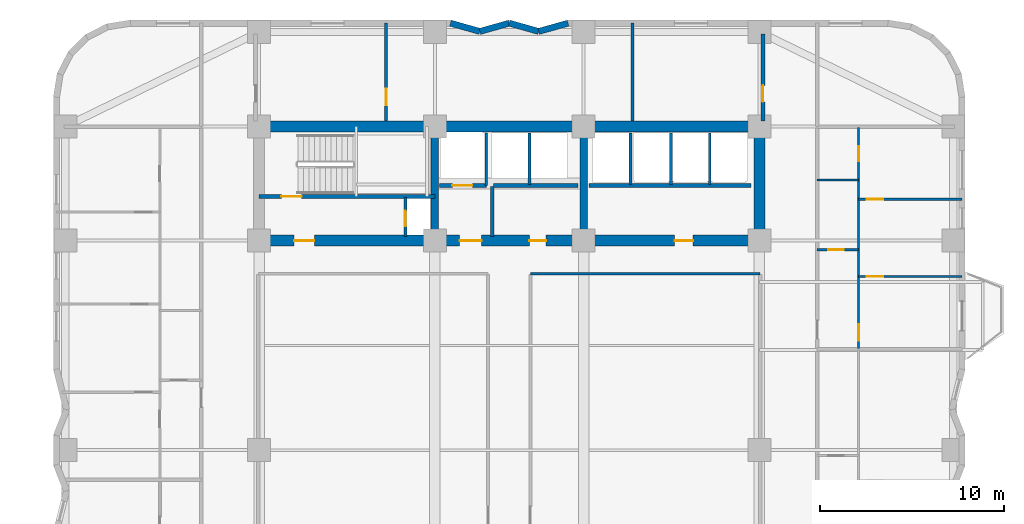
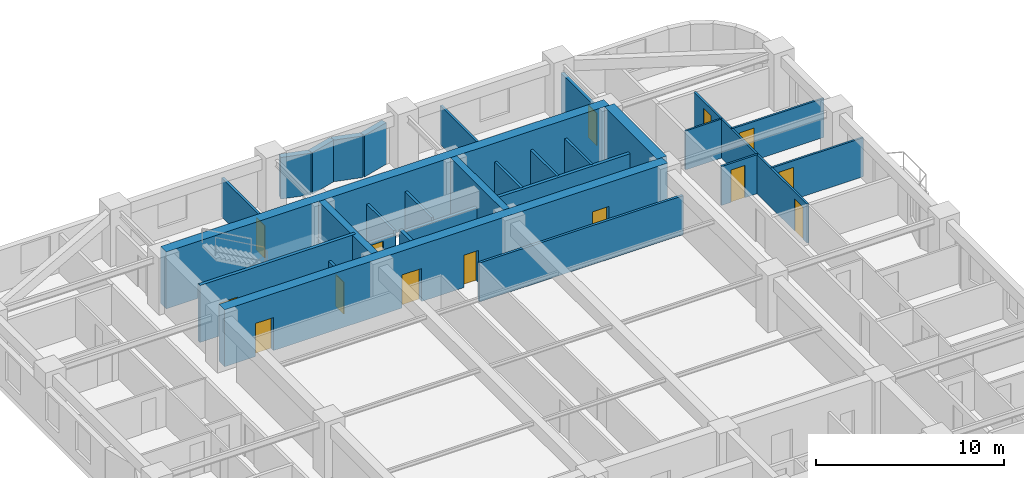
# One storey, part 6 of 9: 29 walls, 14 doors, 14 openings.
"""IFC4 building model written with IfcOpenShell, lengths in metres."""

from ifc_helpers import new_model, si_unit, direction, frame, frame_2d, origin, place, context, subcontext, project, spatial, rectangle, extrude, material, layer, layer_set, type_object, element, fill, save


model = new_model("IFC4")

# Units and contexts
model_context = context("Model", 3, precision=1e-05, world=origin(), true_north=direction((0.0, 1.0)))
body_context = subcontext(model_context, "Body", "Model", "MODEL_VIEW")
ifc_project = project(units=[si_unit("LENGTHUNIT", "METRE"), si_unit("AREAUNIT", "SQUARE_METRE"), si_unit("VOLUMEUNIT", "CUBIC_METRE"), si_unit("PLANEANGLEUNIT", "RADIAN"), si_unit("MASSUNIT", "GRAM", prefix="KILO")], contexts=[model_context])

# Site, building, storey
site_placement = place(None, origin())
site = spatial("IfcSite", under=ifc_project, at=site_placement, CompositionType="ELEMENT")
building_placement = place(site_placement, origin())
building = spatial("IfcBuilding", under=site, at=building_placement, Name="Svetorya Sky Lyceum", CompositionType="ELEMENT")
storey_placement = place(building_placement, frame((0.0, 0.0, 32.5)))
storey = spatial("IfcBuildingStorey", under=building, at=storey_placement, Name="L07", CompositionType="ELEMENT", Elevation=32.5)

# Walls
ifc_material_1 = material(Name="Concrete C40/50", Category="concrete")
ifc_layer_1 = layer(ifc_material_1, 0.39990234375)
ifc_layer_set_1 = layer_set([ifc_layer_1], Name="Concrete C40/50")
wall_type_1 = type_object("IfcWallType", Name="WL-CORE-400", PredefinedType="SHEAR", material=ifc_layer_set_1)
for number, where, z_axis, x_axis, name in (
    (1, (35.14990234375, 39.89990234375, 0.0), (0.0, 0.0, 1.0), (0.0, 1.0, 0.0), "L07 NC Internal Shear Web WEB1"),
    (2, (43.25, 39.89990234375, 0.0), (0.0, 0.0, 1.0), (0.0, 1.0, 0.0), "L07 NC Internal Shear Web WEB2"),
):
    element("IfcWall", number, at=place(storey_placement, frame(where, z_axis=z_axis, x_axis=x_axis)), inside=storey, type_object=wall_type_1, Name=name, PredefinedType="SHEAR", context=body_context, shape_type="SweptSolid", body=[
        extrude(rectangle(XDim=5.60009765625, YDim=0.39990234375, at=frame_2d((2.800048828125, 0.0))), origin(), (0.0, 0.0, 1.0), 3.699951171875),
    ])
ifc_material_2 = material(Name="Concrete C60/75", Category="concrete")
ifc_layer_2 = layer(ifc_material_2, 0.60009765625)
ifc_layer_set_2 = layer_set([ifc_layer_2], Name="Concrete C60/75")
wall_type_2 = type_object("IfcWallType", Name="WL-CORE-600", PredefinedType="SHEAR", material=ifc_layer_set_2)
wall_1_placement = place(storey_placement, frame((25.60009765625, 45.800048828125, 0.0), z_axis=(0.0, 0.0, 1.0), x_axis=(1.0, 0.0, 0.0)))
element("IfcWall", 3, at=wall_1_placement, inside=storey, type_object=wall_type_2, Name="L07 NC Outer Core Shear Wall", PredefinedType="SHEAR", context=body_context, shape_type="SweptSolid", body=[
    extrude(rectangle(XDim=27.199951171875, YDim=0.60009765625, at=frame_2d((13.60009765625, 0.0))), origin(), (0.0, 0.0, 1.0), 3.699951171875),
])
wall_2_placement = place(storey_placement, frame((52.800048828125, 39.89990234375, 0.0), z_axis=(0.0, 0.0, 1.0), x_axis=(0.0, 1.0, 0.0)))
element("IfcWall", 4, at=wall_2_placement, inside=storey, type_object=wall_type_2, Name="L07 NC East Core Shear Wall", PredefinedType="SHEAR", context=body_context, shape_type="SweptSolid", body=[
    extrude(rectangle(XDim=5.60009765625, YDim=0.60009765625, at=frame_2d((2.800048828125, 0.0))), origin(), (0.0, 0.0, 1.0), 3.699951171875),
])

# Wall, openings, doors
wall_3_placement = place(storey_placement, frame((52.800048828125, 39.60009765625, 0.0), z_axis=(0.0, 0.0, 1.0), x_axis=(-1.0, 0.0, 0.0)))
wall_3 = element("IfcWall", 5, at=wall_3_placement, inside=storey, type_object=wall_type_2, Name="L07 NC Inner Core Shear Wall", PredefinedType="SHEAR", context=body_context, shape_type="SweptSolid", body=[
    extrude(rectangle(XDim=27.199951171875, YDim=0.60009765625, at=frame_2d((13.60009765625, 0.0))), origin(), (0.0, 0.0, 1.0), 3.699951171875),
])
opening_1_placement = place(wall_3_placement, frame((24.199951171875, 0.0, 0.0)))
opening_1 = element("IfcOpeningElement", 6, at=opening_1_placement, cuts=wall_3, Name="Opening D-ST1", PredefinedType="OPENING", context=body_context, shape_type="SweptSolid", body=[
    extrude(rectangle(XDim=1.10009765625, YDim=2.14990234375, at=frame_2d((0.550048828125, 1.074951171875))), frame((0.0, 0.31005859375, 0.0), z_axis=(0.0, -1.0, 0.0), x_axis=(1.0, 0.0, 0.0)), (0.0, 0.0, 1.0), 0.6201171875),
])
opening_2_placement = place(wall_3_placement, frame((15.10009765625, 0.0, 0.0)))
opening_2 = element("IfcOpeningElement", 7, at=opening_2_placement, cuts=wall_3, Name="Opening D-FL1", PredefinedType="OPENING", context=body_context, shape_type="SweptSolid", body=[
    extrude(rectangle(XDim=1.199951171875, YDim=2.14990234375, at=frame_2d((0.60009765625, 1.074951171875))), frame((0.0, 0.31005859375, 0.0), z_axis=(0.0, -1.0, 0.0), x_axis=(1.0, 0.0, 0.0)), (0.0, 0.0, 1.0), 0.6201171875),
])
opening_3_placement = place(wall_3_placement, frame((11.60009765625, 0.0, 0.0)))
opening_3 = element("IfcOpeningElement", 8, at=opening_3_placement, cuts=wall_3, Name="Opening D-RM1", PredefinedType="OPENING", context=body_context, shape_type="SweptSolid", body=[
    extrude(rectangle(XDim=0.89990234375, YDim=2.10009765625, at=frame_2d((0.449951171875, 1.050048828125))), frame((0.0, 0.31005859375, 0.0), z_axis=(0.0, -1.0, 0.0), x_axis=(1.0, 0.0, 0.0)), (0.0, 0.0, 1.0), 0.6201171875),
])
opening_4_placement = place(wall_3_placement, frame((3.60009765625, 0.0, 0.0)))
opening_4 = element("IfcOpeningElement", 9, at=opening_4_placement, cuts=wall_3, Name="Opening D-RM2", PredefinedType="OPENING", context=body_context, shape_type="SweptSolid", body=[
    extrude(rectangle(XDim=1.0, YDim=2.14990234375, at=frame_2d((0.5, 1.074951171875))), frame((0.0, 0.31005859375, 0.0), z_axis=(0.0, -1.0, 0.0), x_axis=(1.0, 0.0, 0.0)), (0.0, 0.0, 1.0), 0.6201171875),
])
ifc_material_3 = material(Name="Powder-coated insulated galvanized stair fire door")
door_type_1 = type_object("IfcDoorType", Name="DR-FIRE-1100", OperationType="SINGLE_SWING_LEFT", PredefinedType="DOOR", material=ifc_material_3)
door_1_placement = place(opening_1_placement, origin())
door_1 = element("IfcDoor", 10, at=door_1_placement, inside=storey, type_object=door_type_1, Name="L07 North Stair Airlock Door", OperationType="SINGLE_SWING_LEFT", OverallHeight=2.14990234375, OverallWidth=1.10009765625, PredefinedType="DOOR", context=body_context, shape_type="SweptSolid", body=[
    extrude(rectangle(XDim=1.10009765625, YDim=2.14990234375, at=frame_2d((0.550048828125, 1.074951171875))), frame((0.0, 0.02490234375, 0.0), z_axis=(0.0, -1.0, 0.0), x_axis=(1.0, 0.0, 0.0)), (0.0, 0.0, 1.0), 0.050048828125),
])
fill(opening_1, door_1)
ifc_material_4 = material(Name="Powder-coated insulated galvanized fire door")
door_type_2 = type_object("IfcDoorType", Name="DR-FIRE-1200", OperationType="SINGLE_SWING_LEFT", PredefinedType="DOOR", material=ifc_material_4)
door_2_placement = place(opening_2_placement, origin())
door_2 = element("IfcDoor", 11, at=door_2_placement, inside=storey, type_object=door_type_2, Name="L07 North Firefighting Lift Lobby Door", OperationType="SINGLE_SWING_RIGHT", OverallHeight=2.14990234375, OverallWidth=1.199951171875, PredefinedType="DOOR", context=body_context, shape_type="SweptSolid", body=[
    extrude(rectangle(XDim=1.199951171875, YDim=2.14990234375, at=frame_2d((0.60009765625, 1.074951171875))), frame((0.0, 0.02490234375, 0.0), z_axis=(0.0, -1.0, 0.0), x_axis=(1.0, 0.0, 0.0)), (0.0, 0.0, 1.0), 0.050048828125),
])
fill(opening_2, door_2)
ifc_material_5 = material(Name="Solid-core oak acoustic room door")
door_type_3 = type_object("IfcDoorType", Name="DR-INT-1000", OperationType="SINGLE_SWING_LEFT", PredefinedType="DOOR", material=ifc_material_5)
door_3_placement = place(opening_4_placement, origin())
door_3 = element("IfcDoor", 12, at=door_3_placement, inside=storey, type_object=door_type_3, Name="L07 North Trunk Store Door", OperationType="SINGLE_SWING_LEFT", OverallHeight=2.14990234375, OverallWidth=1.0, PredefinedType="DOOR", context=body_context, shape_type="SweptSolid", body=[
    extrude(rectangle(XDim=1.0, YDim=2.14990234375, at=frame_2d((0.5, 1.074951171875))), frame((0.0, 0.02490234375, 0.0), z_axis=(0.0, -1.0, 0.0), x_axis=(1.0, 0.0, 0.0)), (0.0, 0.0, 1.0), 0.050048828125),
])
fill(opening_4, door_3)
ifc_material_6 = material(Name="Lacquered birch veneer internal door")
door_type_4 = type_object("IfcDoorType", Name="DR-INT-900", OperationType="SINGLE_SWING_LEFT", PredefinedType="DOOR", material=ifc_material_6)
door_4_placement = place(opening_3_placement, origin())
door_4 = element("IfcDoor", 13, at=door_4_placement, inside=storey, type_object=door_type_4, Name="L07 North Equipment Store Door", OperationType="SINGLE_SWING_LEFT", OverallHeight=2.10009765625, OverallWidth=0.89990234375, PredefinedType="DOOR", context=body_context, shape_type="SweptSolid", body=[
    extrude(rectangle(XDim=0.89990234375, YDim=2.10009765625, at=frame_2d((0.449951171875, 1.050048828125))), frame((0.0, 0.02490234375, 0.0), z_axis=(0.0, -1.0, 0.0), x_axis=(1.0, 0.0, 0.0)), (0.0, 0.0, 1.0), 0.050048828125),
])
fill(opening_3, door_4)

# Walls
ifc_material_7 = material(Name="Putilovo limestone rainscreen on autoclaved cellular masonry", Category="masonry")
ifc_layer_3 = layer(ifc_material_7, 0.340087890625)
ifc_layer_set_3 = layer_set([ifc_layer_3], Name="Putilovo limestone rainscreen on autoclaved cellular masonry")
wall_type_3 = type_object("IfcWallType", Name="WL-EXT-340", PredefinedType="SOLIDWALL", material=ifc_layer_set_3)
wall_4_placement = place(storey_placement, frame((42.39990234375, 51.429931640625, 0.0), z_axis=(0.0, 0.0, 1.0), x_axis=(-0.962652136636, -0.270741322725, 0.0)))
element("IfcWall", 14, at=wall_4_placement, inside=storey, type_object=wall_type_3, Name="L07 Limestone Exterior Wall 30M", PredefinedType="SOLIDWALL", context=body_context, shape_type="SweptSolid", body=[
    extrude(rectangle(XDim=1.661865234375, YDim=0.340087890625, at=frame_2d((0.8310546875, 0.0))), origin(), (0.0, 0.0, 1.0), 2.699951171875),
])
wall_5_placement = place(storey_placement, frame((40.800048828125, 50.97998046875, 0.0), z_axis=(0.0, 0.0, 1.0), x_axis=(-0.962662902433, 0.270703040766, 0.0)))
element("IfcWall", 15, at=wall_5_placement, inside=storey, type_object=wall_type_3, Name="L07 Limestone Exterior Wall 31M", PredefinedType="SOLIDWALL", context=body_context, shape_type="SweptSolid", body=[
    extrude(rectangle(XDim=1.662109375, YDim=0.340087890625, at=frame_2d((0.8310546875, 0.0))), origin(), (0.0, 0.0, 1.0), 2.699951171875),
])
wall_6_placement = place(storey_placement, frame((39.199951171875, 51.429931640625, 0.0), z_axis=(0.0, 0.0, 1.0), x_axis=(-0.962652136636, -0.270741322725, 0.0)))
element("IfcWall", 16, at=wall_6_placement, inside=storey, type_object=wall_type_3, Name="L07 Limestone Exterior Wall 32M", PredefinedType="SOLIDWALL", context=body_context, shape_type="SweptSolid", body=[
    extrude(rectangle(XDim=1.661865234375, YDim=0.340087890625, at=frame_2d((0.8310546875, 0.0))), origin(), (0.0, 0.0, 1.0), 2.699951171875),
])
wall_7_placement = place(storey_placement, frame((37.60009765625, 50.97998046875, 0.0), z_axis=(0.0, 0.0, 1.0), x_axis=(-0.962662902433, 0.270703040766, 0.0)))
element("IfcWall", 17, at=wall_7_placement, inside=storey, type_object=wall_type_3, Name="L07 Limestone Exterior Wall 33M", PredefinedType="SOLIDWALL", context=body_context, shape_type="SweptSolid", body=[
    extrude(rectangle(XDim=1.662109375, YDim=0.340087890625, at=frame_2d((0.8310546875, 0.0))), origin(), (0.0, 0.0, 1.0), 2.699951171875),
])
ifc_material_8 = material(Name="Galvanized stud partition with moisture-resistant board", Category="gypsum")
ifc_layer_4 = layer(ifc_material_8, 0.10009765625)
ifc_layer_set_4 = layer_set([ifc_layer_4], Name="Galvanized stud partition with moisture-resistant board")
wall_type_4 = type_object("IfcWallType", Name="WL-PART-100", PredefinedType="PARTITIONING", material=ifc_layer_set_4)
wall_8_placement = place(storey_placement, frame((55.949951171875, 42.89990234375, 0.0), z_axis=(0.0, 0.0, 1.0), x_axis=(1.0, 0.0, 0.0)))
element("IfcWall", 18, at=wall_8_placement, inside=storey, type_object=wall_type_4, Name="L07 Interior Partition E3-WH2", PredefinedType="PARTITIONING", context=body_context, shape_type="SweptSolid", body=[
    extrude(rectangle(XDim=2.25, YDim=0.10009765625, at=frame_2d((1.125, 0.0))), origin(), (0.0, 0.0, 1.0), 2.530029296875),
])

# Wall, opening, door
ifc_material_9 = material(Name="Twin-stud galvanized framing with double fireboard", Category="gypsum")
ifc_layer_5 = layer(ifc_material_9, 0.1201171875)
ifc_layer_set_5 = layer_set([ifc_layer_5], Name="Twin-stud galvanized framing with double fireboard")
wall_type_5 = type_object("IfcWallType", Name="WL-PART-120", PredefinedType="PARTITIONING", material=ifc_layer_set_5)
wall_9_placement = place(storey_placement, frame((55.949951171875, 39.10009765625, 0.0), z_axis=(0.0, 0.0, 1.0), x_axis=(1.0, 0.0, 0.0)))
wall_9 = element("IfcWall", 19, at=wall_9_placement, inside=storey, type_object=wall_type_5, Name="L07 Interior Partition E3-WH1", PredefinedType="PARTITIONING", context=body_context, shape_type="SweptSolid", body=[
    extrude(rectangle(XDim=2.25, YDim=0.1201171875, at=frame_2d((1.125, 0.0))), origin(), (0.0, 0.0, 1.0), 2.530029296875),
])
opening_5_placement = place(wall_9_placement, frame((0.60009765625, 0.0, 0.0)))
opening_5 = element("IfcOpeningElement", 20, at=opening_5_placement, cuts=wall_9, Name="Opening D-BT1", PredefinedType="OPENING", context=body_context, shape_type="SweptSolid", body=[
    extrude(rectangle(XDim=0.85009765625, YDim=2.10009765625, at=frame_2d((0.425048828125, 1.050048828125))), frame((0.0, 0.070068359375, 0.0), z_axis=(0.0, -1.0, 0.0), x_axis=(1.0, 0.0, 0.0)), (0.0, 0.0, 1.0), 0.14013671875),
])
ifc_material_10 = material(Name="Moisture-resistant laminate bathroom door")
door_type_5 = type_object("IfcDoorType", Name="DR-WET-850", OperationType="SINGLE_SWING_LEFT", PredefinedType="DOOR", material=ifc_material_10)
door_5_placement = place(opening_5_placement, origin())
door_5 = element("IfcDoor", 21, at=door_5_placement, inside=storey, type_object=door_type_5, Name="Apartment E3 Bathroom Door", OperationType="SINGLE_SWING_RIGHT", OverallHeight=2.10009765625, OverallWidth=0.85009765625, PredefinedType="DOOR", context=body_context, shape_type="SweptSolid", body=[
    extrude(rectangle(XDim=0.85009765625, YDim=2.10009765625, at=frame_2d((0.425048828125, 1.050048828125))), frame((0.0, 0.02490234375, 0.0), z_axis=(0.0, -1.0, 0.0), x_axis=(1.0, 0.0, 0.0)), (0.0, 0.0, 1.0), 0.050048828125),
])
fill(opening_5, door_5)

wall_10_placement = place(storey_placement, frame((58.199951171875, 37.64990234375, 0.0), z_axis=(0.0, 0.0, 1.0), x_axis=(1.0, 0.0, 0.0)))
wall_10 = element("IfcWall", 22, at=wall_10_placement, inside=storey, type_object=wall_type_5, Name="L07 Interior Partition E3-WL1", PredefinedType="PARTITIONING", context=body_context, shape_type="SweptSolid", body=[
    extrude(rectangle(XDim=5.630126953125, YDim=0.1201171875, at=frame_2d((2.81494140625, 0.0))), origin(), (0.0, 0.0, 1.0), 2.530029296875),
])
opening_6_placement = place(wall_10_placement, frame((0.449951171875, 0.0, 0.0)))
opening_6 = element("IfcOpeningElement", 23, at=opening_6_placement, cuts=wall_10, Name="Opening D-RM1", PredefinedType="OPENING", context=body_context, shape_type="SweptSolid", body=[
    extrude(rectangle(XDim=0.89990234375, YDim=2.10009765625, at=frame_2d((0.449951171875, 1.050048828125))), frame((0.0, 0.070068359375, 0.0), z_axis=(0.0, -1.0, 0.0), x_axis=(1.0, 0.0, 0.0)), (0.0, 0.0, 1.0), 0.14013671875),
])
door_6_placement = place(opening_6_placement, origin())
door_6 = element("IfcDoor", 24, at=door_6_placement, inside=storey, type_object=door_type_4, Name="Apartment E3 Master Bedroom Door", OperationType="SINGLE_SWING_RIGHT", OverallHeight=2.10009765625, OverallWidth=0.89990234375, PredefinedType="DOOR", context=body_context, shape_type="SweptSolid", body=[
    extrude(rectangle(XDim=0.89990234375, YDim=2.10009765625, at=frame_2d((0.449951171875, 1.050048828125))), frame((0.0, 0.02490234375, 0.0), z_axis=(0.0, -1.0, 0.0), x_axis=(1.0, 0.0, 0.0)), (0.0, 0.0, 1.0), 0.050048828125),
])
fill(opening_6, door_6)

wall_11_placement = place(storey_placement, frame((58.199951171875, 41.85009765625, 0.0), z_axis=(0.0, 0.0, 1.0), x_axis=(1.0, 0.0, 0.0)))
wall_11 = element("IfcWall", 25, at=wall_11_placement, inside=storey, type_object=wall_type_5, Name="L07 Interior Partition E3-WL2", PredefinedType="PARTITIONING", context=body_context, shape_type="SweptSolid", body=[
    extrude(rectangle(XDim=5.630126953125, YDim=0.1201171875, at=frame_2d((2.81494140625, 0.0))), origin(), (0.0, 0.0, 1.0), 2.530029296875),
])
opening_7_placement = place(wall_11_placement, frame((0.449951171875, 0.0, 0.0)))
opening_7 = element("IfcOpeningElement", 26, at=opening_7_placement, cuts=wall_11, Name="Opening D-RM1", PredefinedType="OPENING", context=body_context, shape_type="SweptSolid", body=[
    extrude(rectangle(XDim=0.89990234375, YDim=2.10009765625, at=frame_2d((0.449951171875, 1.050048828125))), frame((0.0, 0.070068359375, 0.0), z_axis=(0.0, -1.0, 0.0), x_axis=(1.0, 0.0, 0.0)), (0.0, 0.0, 1.0), 0.14013671875),
])
door_7_placement = place(opening_7_placement, origin())
door_7 = element("IfcDoor", 27, at=door_7_placement, inside=storey, type_object=door_type_4, Name="Apartment E3 Bedroom 2 Door", OperationType="SINGLE_SWING_LEFT", OverallHeight=2.10009765625, OverallWidth=0.89990234375, PredefinedType="DOOR", context=body_context, shape_type="SweptSolid", body=[
    extrude(rectangle(XDim=0.89990234375, YDim=2.10009765625, at=frame_2d((0.449951171875, 1.050048828125))), frame((0.0, 0.02490234375, 0.0), z_axis=(0.0, -1.0, 0.0), x_axis=(1.0, 0.0, 0.0)), (0.0, 0.0, 1.0), 0.050048828125),
])
fill(opening_7, door_7)

# Wall, openings, doors
wall_12_placement = place(storey_placement, frame((58.199951171875, 33.739990234375, 0.0), z_axis=(0.0, 0.0, 1.0), x_axis=(0.0, 1.0, 0.0)))
wall_12 = element("IfcWall", 28, at=wall_12_placement, inside=storey, type_object=wall_type_5, Name="L07 Interior Partition E3-WV", PredefinedType="PARTITIONING", context=body_context, shape_type="SweptSolid", body=[
    extrude(rectangle(XDim=12.02001953125, YDim=0.1201171875, at=frame_2d((6.010009765625, 0.0))), origin(), (0.0, 0.0, 1.0), 2.530029296875),
])
opening_8_placement = place(wall_12_placement, frame((0.409912109375, 0.0, 0.0)))
opening_8 = element("IfcOpeningElement", 29, at=opening_8_placement, cuts=wall_12, Name="Opening D-RM1", PredefinedType="OPENING", context=body_context, shape_type="SweptSolid", body=[
    extrude(rectangle(XDim=0.89990234375, YDim=2.10009765625, at=frame_2d((0.449951171875, 1.050048828125))), frame((0.0, 0.070068359375, 0.0), z_axis=(0.0, -1.0, 0.0), x_axis=(1.0, 0.0, 0.0)), (0.0, 0.0, 1.0), 0.14013671875),
])
opening_9_placement = place(wall_12_placement, frame((10.18505859375, 0.0, 0.0)))
opening_9 = element("IfcOpeningElement", 30, at=opening_9_placement, cuts=wall_12, Name="Opening D-BT2", PredefinedType="OPENING", context=body_context, shape_type="SweptSolid", body=[
    extrude(rectangle(XDim=0.820068359375, YDim=2.080078125, at=frame_2d((0.41015625, 1.0400390625))), frame((0.0, 0.070068359375, 0.0), z_axis=(0.0, -1.0, 0.0), x_axis=(1.0, 0.0, 0.0)), (0.0, 0.0, 1.0), 0.14013671875),
])
door_8_placement = place(opening_8_placement, origin())
door_8 = element("IfcDoor", 31, at=door_8_placement, inside=storey, type_object=door_type_4, Name="Apartment E3 Living Door", OperationType="SINGLE_SWING_LEFT", OverallHeight=2.10009765625, OverallWidth=0.89990234375, PredefinedType="DOOR", context=body_context, shape_type="SweptSolid", body=[
    extrude(rectangle(XDim=0.89990234375, YDim=2.10009765625, at=frame_2d((0.449951171875, 1.050048828125))), frame((0.0, 0.02490234375, 0.0), z_axis=(0.0, -1.0, 0.0), x_axis=(1.0, 0.0, 0.0)), (0.0, 0.0, 1.0), 0.050048828125),
])
fill(opening_8, door_8)
ifc_material_11 = material(Name="Compact moisture-resistant laminate closet door")
door_type_6 = type_object("IfcDoorType", Name="DR-WET-820", OperationType="SINGLE_SWING_LEFT", PredefinedType="DOOR", material=ifc_material_11)
door_9_placement = place(opening_9_placement, origin())
door_9 = element("IfcDoor", 32, at=door_9_placement, inside=storey, type_object=door_type_6, Name="Apartment E3 Study Door", OperationType="SINGLE_SWING_RIGHT", OverallHeight=2.080078125, OverallWidth=0.820068359375, PredefinedType="DOOR", context=body_context, shape_type="SweptSolid", body=[
    extrude(rectangle(XDim=0.820068359375, YDim=2.080078125, at=frame_2d((0.41015625, 1.0400390625))), frame((0.0, 0.02490234375, 0.0), z_axis=(0.0, -1.0, 0.0), x_axis=(1.0, 0.0, 0.0)), (0.0, 0.0, 1.0), 0.050048828125),
])
fill(opening_9, door_9)

# Wall, opening, door
ifc_material_12 = material(Name="Autoclaved cellular masonry blockwork with acoustic render", Category="masonry")
ifc_layer_6 = layer(ifc_material_12, 0.14990234375)
ifc_layer_set_6 = layer_set([ifc_layer_6], Name="Autoclaved cellular masonry blockwork with acoustic render")
wall_type_6 = type_object("IfcWallType", Name="WL-PART-150", PredefinedType="PARTITIONING", material=ifc_layer_set_6)
wall_13_placement = place(storey_placement, frame((33.550048828125, 39.820068359375, 0.0), z_axis=(0.0, 0.0, 1.0), x_axis=(0.0, 1.0, 0.0)))
wall_13 = element("IfcWall", 33, at=wall_13_placement, inside=storey, type_object=wall_type_6, Name="L07 Interior Partition NC-RSRW", PredefinedType="PARTITIONING", context=body_context, shape_type="SweptSolid", body=[
    extrude(rectangle(XDim=2.1298828125, YDim=0.14990234375, at=frame_2d((1.06494140625, 0.0))), origin(), (0.0, 0.0, 1.0), 2.530029296875),
])
opening_10_placement = place(wall_13_placement, frame((0.550048828125, 0.0, 0.0)))
opening_10 = element("IfcOpeningElement", 34, at=opening_10_placement, cuts=wall_13, Name="Opening D-SH1", PredefinedType="OPENING", context=body_context, shape_type="SweptSolid", body=[
    extrude(rectangle(XDim=0.85009765625, YDim=2.050048828125, at=frame_2d((0.425048828125, 1.02490234375))), frame((0.0, 0.0849609375, 0.0), z_axis=(0.0, -1.0, 0.0), x_axis=(1.0, 0.0, 0.0)), (0.0, 0.0, 1.0), 0.169921875),
])
ifc_material_13 = material(Name="Insulated galvanized riser inspection fire door")
door_type_7 = type_object("IfcDoorType", Name="DR-SHFT-850", OperationType="SINGLE_SWING_LEFT", PredefinedType="TRAPDOOR", material=ifc_material_13)
door_10_placement = place(opening_10_placement, origin())
door_10 = element("IfcDoor", 35, at=door_10_placement, inside=storey, type_object=door_type_7, Name="L07 North Riser Access Door", OperationType="SINGLE_SWING_LEFT", OverallHeight=2.050048828125, OverallWidth=0.85009765625, PredefinedType="TRAPDOOR", context=body_context, shape_type="SweptSolid", body=[
    extrude(rectangle(XDim=0.85009765625, YDim=2.050048828125, at=frame_2d((0.425048828125, 1.02490234375))), frame((0.0, 0.02490234375, 0.0), z_axis=(0.0, -1.0, 0.0), x_axis=(1.0, 0.0, 0.0)), (0.0, 0.0, 1.0), 0.050048828125),
])
fill(opening_10, door_10)

# Walls
wall_14_placement = place(storey_placement, frame((37.949951171875, 42.60009765625, 0.0), z_axis=(0.0, 0.0, 1.0), x_axis=(0.0, 1.0, 0.0)))
element("IfcWall", 36, at=wall_14_placement, inside=storey, type_object=wall_type_6, Name="L07 Interior Partition NC-FL1SIDE", PredefinedType="PARTITIONING", context=body_context, shape_type="SweptSolid", body=[
    extrude(rectangle(XDim=2.849853515625, YDim=0.14990234375, at=frame_2d((1.4248046875, 0.0))), origin(), (0.0, 0.0, 1.0), 2.530029296875),
])
for number, where, z_axis, x_axis, name in (
    (37, (40.300048828125, 42.64990234375, 0.0), (0.0, 0.0, 1.0), (0.0, 1.0, 0.0), "L07 Interior Partition NC-PM-D1"),
    (38, (45.800048828125, 42.64990234375, 0.0), (0.0, 0.0, 1.0), (0.0, 1.0, 0.0), "L07 Interior Partition NC-PM3-D"),
    (39, (48.0, 42.64990234375, 0.0), (0.0, 0.0, 1.0), (0.0, 1.0, 0.0), "L07 Interior Partition NC-PH-D1"),
    (40, (50.10009765625, 42.64990234375, 0.0), (0.0, 0.0, 1.0), (0.0, 1.0, 0.0), "L07 Interior Partition NC-PH-D2"),
):
    element("IfcWall", number, at=place(storey_placement, frame(where, z_axis=z_axis, x_axis=x_axis)), inside=storey, type_object=wall_type_6, Name=name, PredefinedType="PARTITIONING", context=body_context, shape_type="SweptSolid", body=[
        extrude(rectangle(XDim=2.800048828125, YDim=0.14990234375, at=frame_2d((1.39990234375, 0.0))), origin(), (0.0, 0.0, 1.0), 2.530029296875),
    ])
wall_15_placement = place(storey_placement, frame((40.35009765625, 37.800048828125, 0.0), z_axis=(0.0, 0.0, 1.0), x_axis=(1.0, 0.0, 0.0)))
element("IfcWall", 41, at=wall_15_placement, inside=storey, type_object=wall_type_6, Name="L07 Interior Partition CN-MID-E", PredefinedType="PARTITIONING", context=body_context, shape_type="SweptSolid", body=[
    extrude(rectangle(XDim=12.5, YDim=0.14990234375, at=frame_2d((6.25, 0.0))), origin(), (0.0, 0.0, 1.0), 2.530029296875),
])

# Wall, opening, door
wall_16_placement = place(storey_placement, frame((32.5, 46.10009765625, 0.0), z_axis=(0.0, 0.0, 1.0), x_axis=(0.0, 1.0, 0.0)))
wall_16 = element("IfcWall", 42, at=wall_16_placement, inside=storey, type_object=wall_type_6, Name="L07 Interior Partition N-D1", PredefinedType="PARTITIONING", context=body_context, shape_type="SweptSolid", body=[
    extrude(rectangle(XDim=5.329833984375, YDim=0.14990234375, at=frame_2d((2.6650390625, 0.0))), origin(), (0.0, 0.0, 1.0), 2.530029296875),
])
opening_11_placement = place(wall_16_placement, frame((0.85009765625, 0.0, 0.0)))
opening_11 = element("IfcOpeningElement", 43, at=opening_11_placement, cuts=wall_16, Name="Opening D-RM1", PredefinedType="OPENING", context=body_context, shape_type="SweptSolid", body=[
    extrude(rectangle(XDim=0.89990234375, YDim=2.10009765625, at=frame_2d((0.449951171875, 1.050048828125))), frame((0.0, 0.0849609375, 0.0), z_axis=(0.0, -1.0, 0.0), x_axis=(1.0, 0.0, 0.0)), (0.0, 0.0, 1.0), 0.169921875),
])
door_11_placement = place(opening_11_placement, origin())
door_11 = element("IfcDoor", 44, at=door_11_placement, inside=storey, type_object=door_type_4, Name="L07 North Store Door", OperationType="SINGLE_SWING_RIGHT", OverallHeight=2.10009765625, OverallWidth=0.89990234375, PredefinedType="DOOR", context=body_context, shape_type="SweptSolid", body=[
    extrude(rectangle(XDim=0.89990234375, YDim=2.10009765625, at=frame_2d((0.449951171875, 1.050048828125))), frame((0.0, 0.02490234375, 0.0), z_axis=(0.0, -1.0, 0.0), x_axis=(1.0, 0.0, 0.0)), (0.0, 0.0, 1.0), 0.050048828125),
])
fill(opening_11, door_11)

# Wall
wall_17_placement = place(storey_placement, frame((45.89990234375, 46.10009765625, 0.0), z_axis=(0.0, 0.0, 1.0), x_axis=(0.0, 1.0, 0.0)))
element("IfcWall", 45, at=wall_17_placement, inside=storey, type_object=wall_type_6, Name="L07 Interior Partition N-D2", PredefinedType="PARTITIONING", context=body_context, shape_type="SweptSolid", body=[
    extrude(rectangle(XDim=5.329833984375, YDim=0.14990234375, at=frame_2d((2.6650390625, 0.0))), origin(), (0.0, 0.0, 1.0), 2.530029296875),
])

# Wall, opening, door
ifc_material_14 = material(Name="Autoclaved cellular masonry blockwork with gypsum plaster", Category="masonry")
ifc_layer_7 = layer(ifc_material_14, 0.199951171875)
ifc_layer_set_7 = layer_set([ifc_layer_7], Name="Autoclaved cellular masonry blockwork with gypsum plaster")
wall_type_7 = type_object("IfcWallType", Name="WL-PART-200", PredefinedType="PARTITIONING", material=ifc_layer_set_7)
wall_18_placement = place(storey_placement, frame((37.949951171875, 42.60009765625, 0.0), z_axis=(0.0, 0.0, 1.0), x_axis=(-1.0, 0.0, 0.0)))
wall_18 = element("IfcWall", 46, at=wall_18_placement, inside=storey, type_object=wall_type_7, Name="L07 Interior Partition NC-FL1W", PredefinedType="PARTITIONING", context=body_context, shape_type="SweptSolid", body=[
    extrude(rectangle(XDim=2.550048828125, YDim=0.199951171875, at=frame_2d((1.27490234375, 0.0))), origin(), (0.0, 0.0, 1.0), 2.300048828125),
])
opening_12_placement = place(wall_18_placement, frame((0.75, 0.0, 0.0)))
opening_12 = element("IfcOpeningElement", 47, at=opening_12_placement, cuts=wall_18, Name="Opening LD-FL", PredefinedType="OPENING", context=body_context, shape_type="SweptSolid", body=[
    extrude(rectangle(XDim=1.10009765625, YDim=2.14990234375, at=frame_2d((0.550048828125, 1.074951171875))), frame((0.0, 0.10986328125, 0.0), z_axis=(0.0, -1.0, 0.0), x_axis=(1.0, 0.0, 0.0)), (0.0, 0.0, 1.0), 0.219970703125),
])
ifc_material_15 = material(Name="Fire-rated stainless AISI 304 firefighting lift landing door")
door_type_8 = type_object("IfcDoorType", Name="DR-LIFT-1100", OperationType="SLIDING_TO_LEFT", PredefinedType="DOOR", material=ifc_material_15)
door_12_placement = place(opening_12_placement, origin())
door_12 = element("IfcDoor", 48, at=door_12_placement, inside=storey, type_object=door_type_8, Name="L07 Firefighting Lift FL1 Landing Door", OperationType="SLIDING_TO_LEFT", OverallHeight=2.14990234375, OverallWidth=1.10009765625, PredefinedType="DOOR", context=body_context, shape_type="SweptSolid", body=[
    extrude(rectangle(XDim=1.10009765625, YDim=2.14990234375, at=frame_2d((0.550048828125, 1.074951171875))), frame((0.0, 0.02490234375, 0.0), z_axis=(0.0, -1.0, 0.0), x_axis=(1.0, 0.0, 0.0)), (0.0, 0.0, 1.0), 0.050048828125),
])
fill(opening_12, door_12)

# Walls
wall_19_placement = place(storey_placement, frame((38.280029296875, 39.820068359375, 0.0), z_axis=(0.0, 0.0, 1.0), x_axis=(0.0, 1.0, 0.0)))
element("IfcWall", 49, at=wall_19_placement, inside=storey, type_object=wall_type_7, Name="L07 Interior Partition NC-FFLDIV", PredefinedType="PARTITIONING", context=body_context, shape_type="SweptSolid", body=[
    extrude(rectangle(XDim=2.72998046875, YDim=0.199951171875, at=frame_2d((1.364990234375, 0.0))), origin(), (0.0, 0.0, 1.0), 2.530029296875),
])
wall_20_placement = place(storey_placement, frame((42.949951171875, 42.60009765625, 0.0), z_axis=(0.0, 0.0, 1.0), x_axis=(-1.0, 0.0, 0.0)))
element("IfcWall", 50, at=wall_20_placement, inside=storey, type_object=wall_type_7, Name="L07 Interior Partition NC-PM12W", PredefinedType="PARTITIONING", context=body_context, shape_type="SweptSolid", body=[
    extrude(rectangle(XDim=4.599853515625, YDim=0.199951171875, at=frame_2d((2.2998046875, 0.0))), origin(), (0.0, 0.0, 1.0), 2.300048828125),
])
wall_21_placement = place(storey_placement, frame((52.35009765625, 42.60009765625, 0.0), z_axis=(0.0, 0.0, 1.0), x_axis=(-1.0, 0.0, 0.0)))
element("IfcWall", 51, at=wall_21_placement, inside=storey, type_object=wall_type_7, Name="L07 Interior Partition NC-PHEW", PredefinedType="PARTITIONING", context=body_context, shape_type="SweptSolid", body=[
    extrude(rectangle(XDim=8.800048828125, YDim=0.199951171875, at=frame_2d((4.39990234375, 0.0))), origin(), (0.0, 0.0, 1.0), 2.530029296875),
])

# Wall, opening, door
wall_22_placement = place(storey_placement, frame((53.0, 46.10009765625, 0.0), z_axis=(0.0, 0.0, 1.0), x_axis=(0.0, 1.0, 0.0)))
wall_22 = element("IfcWall", 52, at=wall_22_placement, inside=storey, type_object=wall_type_7, Name="L07 Interior Partition N-EE", PredefinedType="PARTITIONING", context=body_context, shape_type="SweptSolid", body=[
    extrude(rectangle(XDim=4.72998046875, YDim=0.199951171875, at=frame_2d((2.364990234375, 0.0))), origin(), (0.0, 0.0, 1.0), 2.530029296875),
])
opening_13_placement = place(wall_22_placement, frame((1.050048828125, 0.0, 0.0)))
opening_13 = element("IfcOpeningElement", 53, at=opening_13_placement, cuts=wall_22, Name="Opening D-RM1", PredefinedType="OPENING", context=body_context, shape_type="SweptSolid", body=[
    extrude(rectangle(XDim=0.89990234375, YDim=2.10009765625, at=frame_2d((0.449951171875, 1.050048828125))), frame((0.0, 0.10986328125, 0.0), z_axis=(0.0, -1.0, 0.0), x_axis=(1.0, 0.0, 0.0)), (0.0, 0.0, 1.0), 0.219970703125),
])
door_13_placement = place(opening_13_placement, origin())
door_13 = element("IfcDoor", 54, at=door_13_placement, inside=storey, type_object=door_type_4, Name="L07 North Meeting Door", OperationType="SINGLE_SWING_LEFT", OverallHeight=2.10009765625, OverallWidth=0.89990234375, PredefinedType="DOOR", context=body_context, shape_type="SweptSolid", body=[
    extrude(rectangle(XDim=0.89990234375, YDim=2.10009765625, at=frame_2d((0.449951171875, 1.050048828125))), frame((0.0, 0.02490234375, 0.0), z_axis=(0.0, -1.0, 0.0), x_axis=(1.0, 0.0, 0.0)), (0.0, 0.0, 1.0), 0.050048828125),
])
fill(opening_13, door_13)

ifc_material_16 = material(Name="Concrete C50/60", Category="concrete")
ifc_layer_8 = layer(ifc_material_16, 0.199951171875)
ifc_layer_set_8 = layer_set([ifc_layer_8], Name="Concrete C50/60")
wall_type_8 = type_object("IfcWallType", Name="WL-SHW-200", PredefinedType="SHEAR", material=ifc_layer_set_8)
wall_23_placement = place(storey_placement, frame((35.14990234375, 42.0, 0.0), z_axis=(0.0, 0.0, 1.0), x_axis=(-1.0, 0.0, 0.0)))
wall_23 = element("IfcWall", 55, at=wall_23_placement, inside=storey, type_object=wall_type_8, Name="L07 Structural Stair Shaft Wall NC-STW", PredefinedType="SHEAR", context=body_context, shape_type="SweptSolid", body=[
    extrude(rectangle(XDim=9.5498046875, YDim=0.199951171875, at=frame_2d((4.77490234375, 0.0))), origin(), (0.0, 0.0, 1.0), 3.699951171875),
])
opening_14_placement = place(wall_23_placement, frame((7.25, 0.0, 0.0)))
opening_14 = element("IfcOpeningElement", 56, at=opening_14_placement, cuts=wall_23, Name="Opening D-ST1", PredefinedType="OPENING", context=body_context, shape_type="SweptSolid", body=[
    extrude(rectangle(XDim=1.10009765625, YDim=2.14990234375, at=frame_2d((0.550048828125, 1.074951171875))), frame((0.0, 0.10986328125, 0.0), z_axis=(0.0, -1.0, 0.0), x_axis=(1.0, 0.0, 0.0)), (0.0, 0.0, 1.0), 0.219970703125),
])
door_14_placement = place(opening_14_placement, origin())
door_14 = element("IfcDoor", 57, at=door_14_placement, inside=storey, type_object=door_type_1, Name="L07 Stair ST-N Vestibule Fire Door", OperationType="SINGLE_SWING_RIGHT", OverallHeight=2.14990234375, OverallWidth=1.10009765625, PredefinedType="DOOR", context=body_context, shape_type="SweptSolid", body=[
    extrude(rectangle(XDim=1.10009765625, YDim=2.14990234375, at=frame_2d((0.550048828125, 1.074951171875))), frame((0.0, 0.02490234375, 0.0), z_axis=(0.0, -1.0, 0.0), x_axis=(1.0, 0.0, 0.0)), (0.0, 0.0, 1.0), 0.050048828125),
])
fill(opening_14, door_14)

save(model, "model.ifc")
